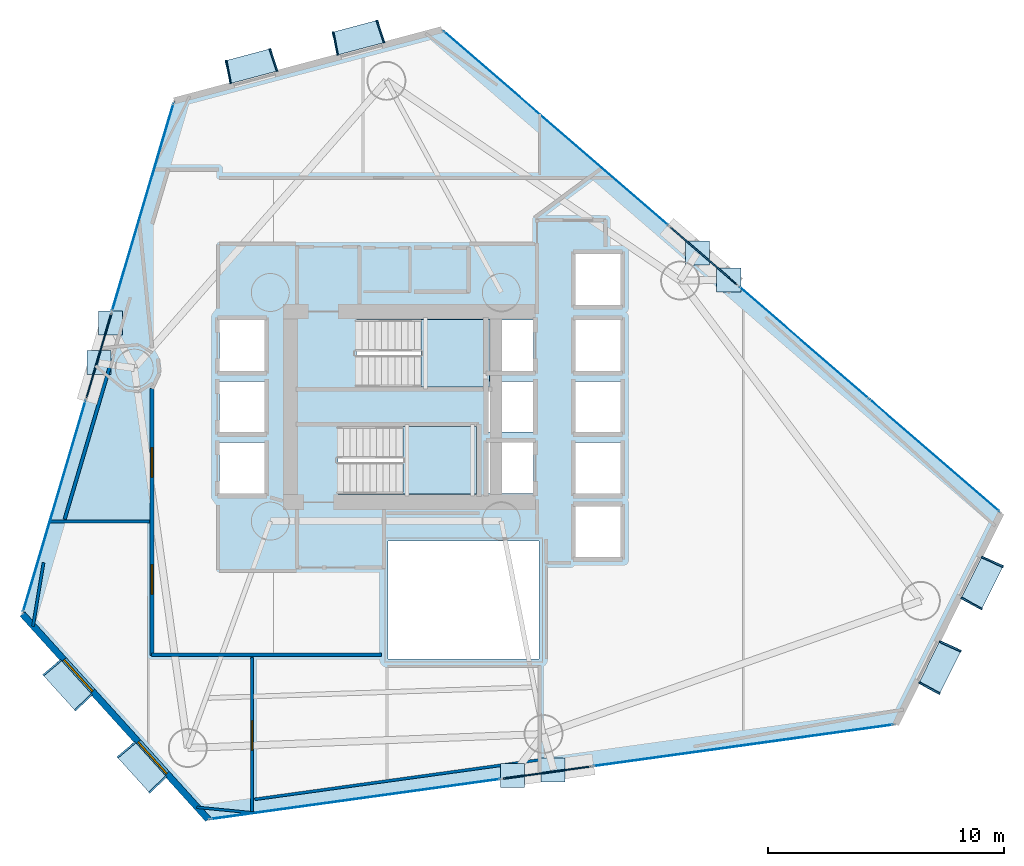
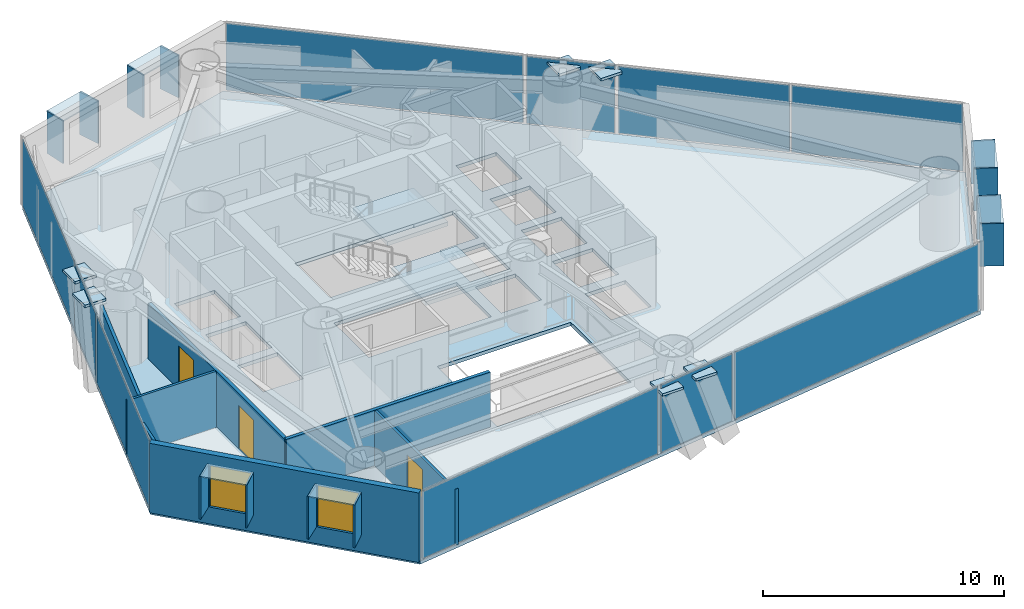
# One storey, part 16 of 23: 34 plates, 9 walls, 3 doors, 3 slabs, 2 windows, 5 openings, 11 elements without a shape of their own.
"""IFC4 building model written with IfcOpenShell, lengths in metres."""

from ifc_helpers import new_model, si_unit, direction, frame, frame_2d, origin, origin_2d, place, context, subcontext, project, spatial, polyline, rectangle, outline, extrude, material, layer, layer_set, type_object, element, fill, aggregate, save


model = new_model("IFC4")

# Units and contexts
model_context = context("Model", 3, precision=1e-05, world=origin(), true_north=direction((0.0, 1.0)))
body_context = subcontext(model_context, "Body", "Model", "MODEL_VIEW")
ifc_project = project(units=[si_unit("LENGTHUNIT", "METRE"), si_unit("AREAUNIT", "SQUARE_METRE"), si_unit("VOLUMEUNIT", "CUBIC_METRE"), si_unit("PLANEANGLEUNIT", "RADIAN"), si_unit("MASSUNIT", "GRAM", prefix="KILO")], contexts=[model_context])

# Site, building, storey
site_placement = place(None, origin())
site = spatial("IfcSite", under=ifc_project, at=site_placement, CompositionType="ELEMENT")
building_placement = place(site_placement, origin())
building = spatial("IfcBuilding", under=site, at=building_placement, Name="Qianvela Tower", CompositionType="ELEMENT")
storey_placement = place(building_placement, frame((0.0, 0.0, 74.699951171875)))
storey = spatial("IfcBuildingStorey", under=building, at=storey_placement, Name="L18", CompositionType="ELEMENT", Elevation=74.699951171875)

# Curtain wall, plate
ifc_material_1 = material(Name="Anodised Architectural Aluminium and Insulated Spandrel Panel", Category="aluminium")
ifc_layer_1 = layer(ifc_material_1, 0.179931640625)
ifc_layer_set_1 = layer_set([ifc_layer_1], Name="Anodised Architectural Aluminium and Insulated Spandrel Panel")
curtain_wall_type_1 = type_object("IfcCurtainWallType", Name="CW-BRACEBAY", PredefinedType="USERDEFINED", material=ifc_layer_set_1)
curtain_wall_1_placement = place(storey_placement, origin())
curtain_wall_1 = element("IfcCurtainWall", 1, at=curtain_wall_1_placement, inside=storey, type_object=curtain_wall_type_1, Name="L18 CW-BRACEBAY Curtain Wall 02B", ObjectType="CURTAIN_WALL_SYSTEM", PredefinedType="USERDEFINED")
ifc_material_2 = material(Name="Insulated Aluminium Spandrel Panel with Mineral-Wool Backpan", Category="aluminium")
ifc_layer_2 = layer(ifc_material_2, 0.06005859375)
ifc_layer_set_2 = layer_set([ifc_layer_2], Name="Insulated Aluminium Spandrel Panel with Mineral-Wool Backpan")
plate_type_1 = type_object("IfcPlateType", Name="CW-BRACEBAY-PNL", PredefinedType="CURTAIN_PANEL", material=ifc_layer_set_2)
plate_1_placement = place(storey_placement, frame((46.983154296875, 35.098388671875, 0.06494140625), z_axis=(0.0, 0.0, 1.0), x_axis=(-0.756620196379, 0.653854630962, 0.0)))
plate_1 = element("IfcPlate", 2, at=plate_1_placement, type_object=plate_type_1, Name="CW-9 panel 1.1", PredefinedType="CURTAIN_PANEL", context=body_context, shape_type="SweptSolid", body=[
    extrude(rectangle(XDim=3.739990234375, YDim=0.06005859375, at=origin_2d()), origin(), (0.0, 0.0, 1.0), 3.389892578125),
])
aggregate(curtain_wall_1, [plate_1])

curtain_wall_2_placement = place(storey_placement, origin())
curtain_wall_2 = element("IfcCurtainWall", 3, at=curtain_wall_2_placement, inside=storey, type_object=curtain_wall_type_1, Name="L18 CW-BRACEBAY Curtain Wall 04B", ObjectType="CURTAIN_WALL_SYSTEM", PredefinedType="USERDEFINED")
plate_2_placement = place(storey_placement, frame((21.327392578125, 30.86865234375, 0.06494140625), z_axis=(0.0, 0.0, 1.0), x_axis=(-0.283680784565, -0.958918772612, 0.0)))
plate_2 = element("IfcPlate", 4, at=plate_2_placement, type_object=plate_type_1, Name="CW-9 panel 1.1", PredefinedType="CURTAIN_PANEL", context=body_context, shape_type="SweptSolid", body=[
    extrude(rectangle(XDim=3.72998046875, YDim=0.06005859375, at=origin_2d()), origin(), (0.0, 0.0, 1.0), 3.389892578125),
])
aggregate(curtain_wall_2, [plate_2])

curtain_wall_3_placement = place(storey_placement, origin())
curtain_wall_3 = element("IfcCurtainWall", 5, at=curtain_wall_3_placement, inside=storey, type_object=curtain_wall_type_1, Name="L18 CW-BRACEBAY Curtain Wall 06B", ObjectType="CURTAIN_WALL_SYSTEM", PredefinedType="USERDEFINED")
plate_3_placement = place(storey_placement, frame((40.3330078125, 13.1826171875, 0.06494140625), z_axis=(0.0, 0.0, 1.0), x_axis=(0.990574154922, 0.136977529545, 0.0)))
plate_3 = element("IfcPlate", 6, at=plate_3_placement, type_object=plate_type_1, Name="CW-9 panel 1.1", PredefinedType="CURTAIN_PANEL", context=body_context, shape_type="SweptSolid", body=[
    extrude(rectangle(XDim=3.739990234375, YDim=0.06005859375, at=origin_2d()), origin(), (0.0, 0.0, 1.0), 3.389892578125),
])
aggregate(curtain_wall_3, [plate_3])

# Curtain wall, plates
ifc_material_3 = material(Name="Anodised Architectural Aluminium and Low-E Glass", Category="aluminium")
ifc_layer_3 = layer(ifc_material_3, 0.179931640625)
ifc_layer_set_3 = layer_set([ifc_layer_3], Name="Anodised Architectural Aluminium and Low-E Glass")
curtain_wall_type_2 = type_object("IfcCurtainWallType", Name="CW-COLIV-Z12", PredefinedType="USERDEFINED", material=ifc_layer_set_3)
curtain_wall_4_placement = place(storey_placement, origin())
curtain_wall_4 = element("IfcCurtainWall", 7, at=curtain_wall_4_placement, inside=storey, type_object=curtain_wall_type_2, Name="L18 CW-COLIV-Z12 Curtain Wall 02A", ObjectType="CURTAIN_WALL_SYSTEM", PredefinedType="USERDEFINED")
ifc_material_4 = material(Name="Double-Silver Low-E Insulated Glass", Category="glass")
ifc_layer_4 = layer(ifc_material_4, 0.030029296875)
ifc_layer_set_4 = layer_set([ifc_layer_4], Name="Double-Silver Low-E Insulated Glass")
plate_type_2 = type_object("IfcPlateType", Name="CW-COLIV-Z12-PNL", PredefinedType="CURTAIN_PANEL", material=ifc_layer_set_4)
plate_4_placement = place(storey_placement, frame((56.77001953125, 26.640869140625, 0.06494140625), z_axis=(0.0, 0.0, 1.0), x_axis=(-0.756622457669, 0.65385201426, 0.0)))
plate_4 = element("IfcPlate", 8, at=plate_4_placement, type_object=plate_type_2, Name="CW-3 panel 1.1", PredefinedType="CURTAIN_PANEL", context=body_context, shape_type="SweptSolid", body=[
    extrude(rectangle(XDim=7.239990234375, YDim=0.030029296875, at=origin_2d()), origin(), (0.0, 0.0, 1.0), 3.389892578125),
])
plate_5_placement = place(storey_placement, frame((51.239013671875, 31.420654296875, 0.06494140625), z_axis=(0.0, 0.0, 1.0), x_axis=(-0.756622457669, 0.65385201426, 0.0)))
plate_5 = element("IfcPlate", 9, at=plate_5_placement, type_object=plate_type_2, Name="CW-3 panel 2.1", PredefinedType="CURTAIN_PANEL", context=body_context, shape_type="SweptSolid", body=[
    extrude(rectangle(XDim=7.239990234375, YDim=0.030029296875, at=origin_2d()), origin(), (0.0, 0.0, 1.0), 3.389892578125),
])
aggregate(curtain_wall_4, [plate_4, plate_5])

# Curtain wall, plate
curtain_wall_5_placement = place(storey_placement, origin())
curtain_wall_5 = element("IfcCurtainWall", 10, at=curtain_wall_5_placement, inside=storey, type_object=curtain_wall_type_2, Name="L18 CW-COLIV-Z12 Curtain Wall 02C", ObjectType="CURTAIN_WALL_SYSTEM", PredefinedType="USERDEFINED")
plate_6_placement = place(storey_placement, frame((40.71630859375, 40.51416015625, 0.06494140625), z_axis=(0.0, 0.0, 1.0), x_axis=(-0.75661875786, 0.653856295569, 0.0)))
plate_6 = element("IfcPlate", 11, at=plate_6_placement, type_object=plate_type_2, Name="CW-3 panel 1.1", PredefinedType="CURTAIN_PANEL", context=body_context, shape_type="SweptSolid", body=[
    extrude(rectangle(XDim=12.55517578125, YDim=0.030029296875, at=origin_2d()), origin(), (0.0, 0.0, 1.0), 3.389892578125),
])
aggregate(curtain_wall_5, [plate_6])

curtain_wall_6_placement = place(storey_placement, origin())
curtain_wall_6 = element("IfcCurtainWall", 12, at=curtain_wall_6_placement, inside=storey, type_object=curtain_wall_type_2, Name="L18 CW-COLIV-Z12 Curtain Wall 04A", ObjectType="CURTAIN_WALL_SYSTEM", PredefinedType="USERDEFINED")
plate_7_placement = place(storey_placement, frame((23.192626953125, 37.173583984375, 0.06494140625), z_axis=(0.0, 0.0, 1.0), x_axis=(-0.283680024051, -0.958918997598, 0.0)))
plate_7 = element("IfcPlate", 13, at=plate_7_placement, type_object=plate_type_2, Name="CW-3 panel 1.1", PredefinedType="CURTAIN_PANEL", context=body_context, shape_type="SweptSolid", body=[
    extrude(rectangle(XDim=9.150146484375, YDim=0.030029296875, at=origin_2d()), origin(), (0.0, 0.0, 1.0), 3.389892578125),
])
aggregate(curtain_wall_6, [plate_7])

curtain_wall_7_placement = place(storey_placement, origin())
curtain_wall_7 = element("IfcCurtainWall", 14, at=curtain_wall_7_placement, inside=storey, type_object=curtain_wall_type_2, Name="L18 CW-COLIV-Z12 Curtain Wall 04C", ObjectType="CURTAIN_WALL_SYSTEM", PredefinedType="USERDEFINED")
plate_8_placement = place(storey_placement, frame((19.439208984375, 24.486328125, 0.06494140625), z_axis=(0.0, 0.0, 1.0), x_axis=(-0.283671879157, -0.95892140709, 0.0)))
plate_8 = element("IfcPlate", 15, at=plate_8_placement, type_object=plate_type_2, Name="CW-3 panel 1.1", PredefinedType="CURTAIN_PANEL", context=body_context, shape_type="SweptSolid", body=[
    extrude(rectangle(XDim=9.311767578125, YDim=0.030029296875, at=origin_2d()), origin(), (0.0, 0.0, 1.0), 3.389892578125),
])
aggregate(curtain_wall_7, [plate_8])

curtain_wall_8_placement = place(storey_placement, origin())
curtain_wall_8 = element("IfcCurtainWall", 16, at=curtain_wall_8_placement, inside=storey, type_object=curtain_wall_type_2, Name="L18 CW-COLIV-Z12 Curtain Wall 06A", ObjectType="CURTAIN_WALL_SYSTEM", PredefinedType="USERDEFINED")
plate_9_placement = place(storey_placement, frame((32.21533203125, 12.06005859375, 0.06494140625), z_axis=(0.0, 0.0, 1.0), x_axis=(0.990573724355, 0.136980643219, 0.0)))
plate_9 = element("IfcPlate", 17, at=plate_9_placement, type_object=plate_type_2, Name="CW-3 panel 1.1", PredefinedType="CURTAIN_PANEL", context=body_context, shape_type="SweptSolid", body=[
    extrude(rectangle(XDim=12.380126953125, YDim=0.030029296875, at=origin_2d()), origin(), (0.0, 0.0, 1.0), 3.389892578125),
])
aggregate(curtain_wall_8, [plate_9])

curtain_wall_9_placement = place(storey_placement, origin())
curtain_wall_9 = element("IfcCurtainWall", 18, at=curtain_wall_9_placement, inside=storey, type_object=curtain_wall_type_2, Name="L18 CW-COLIV-Z12 Curtain Wall 06C", ObjectType="CURTAIN_WALL_SYSTEM", PredefinedType="USERDEFINED")
plate_10_placement = place(storey_placement, frame((48.664306640625, 14.334716796875, 0.06494140625), z_axis=(0.0, 0.0, 1.0), x_axis=(0.99057317253, 0.136984633674, 0.0)))
plate_10 = element("IfcPlate", 19, at=plate_10_placement, type_object=plate_type_2, Name="CW-3 panel 1.1", PredefinedType="CURTAIN_PANEL", context=body_context, shape_type="SweptSolid", body=[
    extrude(rectangle(XDim=12.81103515625, YDim=0.030029296875, at=origin_2d()), origin(), (0.0, 0.0, 1.0), 3.389892578125),
])
aggregate(curtain_wall_9, [plate_10])

# Plates
ifc_material_5 = material(Name="Steel Q420GJC", Category="steel")
ifc_layer_5 = layer(ifc_material_5, 0.1298828125)
ifc_layer_set_5 = layer_set([ifc_layer_5], Name="Steel Q420GJC")
plate_type_3 = type_object("IfcPlateType", Name="PT-ENDCAP-130", PredefinedType="USERDEFINED", material=ifc_layer_set_5)
for number, where, z_axis, x_axis, name in (
    (20, (48.048583984375, 34.072021484375, 3.159912109375), (0.0, 0.0, 1.0), (1.0, 0.0, 0.0), "L18 Hollow Section End Cap Plate B"),
    (21, (46.722412109375, 35.218017578125, 3.159912109375), (0.0, 0.0, 1.0), (1.0, 0.0, 0.0), "L18 Hollow Section End Cap Plate B"),
    (22, (21.821533203125, 32.2568359375, 3.159912109375), (0.0, 0.0, 1.0), (1.0, 0.0, 0.0), "L18 Hollow Section End Cap Plate B"),
    (23, (21.324462890625, 30.576416015625, 3.159912109375), (0.0, 0.0, 1.0), (1.0, 0.0, 0.0), "L18 Hollow Section End Cap Plate B"),
    (24, (38.864990234375, 13.060302734375, 3.159912109375), (0.0, 0.0, 1.0), (1.0, 0.0, 0.0), "L18 Hollow Section End Cap Plate B"),
    (25, (40.601318359375, 13.30029296875, 3.159912109375), (0.0, 0.0, 1.0), (1.0, 0.0, 0.0), "L18 Hollow Section End Cap Plate B"),
):
    element("IfcPlate", number, at=place(storey_placement, frame(where, z_axis=z_axis, x_axis=x_axis)), inside=storey, type_object=plate_type_3, Name=name, ObjectType="END_CAP", PredefinedType="USERDEFINED", context=body_context, shape_type="SweptSolid", body=[
        extrude(rectangle(XDim=1.02001953125, YDim=1.02001953125, at=origin_2d()), origin(), (0.0, 0.0, 1.0), 0.1298828125),
    ])

# Slab
ifc_material_6 = material(Name="Concrete C40", Category="concrete")
ifc_layer_6 = layer(ifc_material_6, 0.179931640625)
ifc_layer_set_6 = layer_set([ifc_layer_6], Name="Concrete C40")
slab_type_1 = type_object("IfcSlabType", Name="SL-FLOOR-180", PredefinedType="FLOOR", material=ifc_layer_set_6)
slab_1_placement = place(storey_placement, frame((0.0, 0.0, -0.179931640625)))
element("IfcSlab", 26, at=slab_1_placement, inside=storey, type_object=slab_type_1, Name="L18 Composite Structural Floor Slab", PredefinedType="FLOOR", context=body_context, shape_type="SweptSolid", body=[
    extrude(outline(polyline([(55.12841796875, 15.228515625), (59.599609375, 24.195556640625), (35.875732421875, 44.697265625), (24.5244140625, 41.67578125), (18.08447265625, 19.906494140625), (25.96484375, 11.19580078125), (55.12841796875, 15.228515625)]), holes=[polyline([(40.0, 23.0), (33.60009765625, 23.0), (33.60009765625, 18.0), (40.0, 18.0), (40.0, 23.0)]), polyline([(28.360107421875, 25.02001953125), (28.360107421875, 27.179931640625), (26.43994140625, 27.179931640625), (26.43994140625, 25.02001953125), (28.360107421875, 25.02001953125)]), polyline([(37.35009765625, 25.0), (37.35009765625, 27.860107421875), (31.469970703125, 27.860107421875), (31.469970703125, 25.0), (37.35009765625, 25.0)]), polyline([(28.360107421875, 27.6201171875), (28.360107421875, 29.780029296875), (26.43994140625, 29.780029296875), (26.43994140625, 27.6201171875), (28.360107421875, 27.6201171875)]), polyline([(37.89990234375, 32.3798828125), (37.89990234375, 32.39990234375), (32.25, 32.39990234375), (32.25, 29.5400390625), (37.840087890625, 29.5400390625), (37.840087890625, 27.6201171875), (39.760009765625, 27.6201171875), (39.760009765625, 29.780029296875), (37.89990234375, 29.780029296875), (37.89990234375, 30.219970703125), (39.760009765625, 30.219970703125), (39.760009765625, 32.3798828125), (37.89990234375, 32.3798828125)]), polyline([(28.360107421875, 30.219970703125), (28.360107421875, 32.3798828125), (26.43994140625, 32.3798828125), (26.43994140625, 30.219970703125), (28.360107421875, 30.219970703125)]), polyline([(43.4599609375, 24.47998046875), (41.5400390625, 24.47998046875), (41.5400390625, 22.320068359375), (43.4599609375, 22.320068359375), (43.4599609375, 24.47998046875)]), polyline([(39.760009765625, 25.02001953125), (39.760009765625, 27.179931640625), (37.840087890625, 27.179931640625), (37.840087890625, 25.02001953125), (39.760009765625, 25.02001953125)]), polyline([(43.4599609375, 25.02001953125), (43.4599609375, 27.179931640625), (41.5400390625, 27.179931640625), (41.5400390625, 25.02001953125), (43.4599609375, 25.02001953125)]), polyline([(43.4599609375, 27.6201171875), (43.4599609375, 29.780029296875), (41.5400390625, 29.780029296875), (41.5400390625, 27.6201171875), (43.4599609375, 27.6201171875)]), polyline([(43.4599609375, 30.219970703125), (43.4599609375, 32.3798828125), (41.5400390625, 32.3798828125), (41.5400390625, 30.219970703125), (43.4599609375, 30.219970703125)]), polyline([(43.4599609375, 33.02001953125), (43.4599609375, 35.179931640625), (41.5400390625, 35.179931640625), (41.5400390625, 33.02001953125), (43.4599609375, 33.02001953125)])]), origin(), (0.0, 0.0, 1.0), 0.179931640625),
])

# Stair, slab
ifc_material_7 = material(Name="Concrete C40", Category="concrete")
stair_type = type_object("IfcStairType", Name="ST-DOGLEG-1350-R168-N22", PredefinedType="HALF_TURN_STAIR", material=ifc_material_7)
stair_1_placement = place(storey_placement, origin())
stair_1 = element("IfcStair", 27, at=stair_1_placement, inside=storey, type_object=stair_type, Name="L18 Smoke-Proof Core Stair ST-1", PredefinedType="HALF_TURN_STAIR")
ifc_material_8 = material(Name="Concrete C40", Category="concrete")
ifc_layer_7 = layer(ifc_material_8, 0.199951171875)
ifc_layer_set_7 = layer_set([ifc_layer_7], Name="Concrete C40")
slab_type_2 = type_object("IfcSlabType", Name="SL-STAIR-LANDING-200", PredefinedType="LANDING", material=ifc_layer_set_7)
slab_2_placement = place(storey_placement, frame((0.0, 0.0, 1.650146484375)))
slab_2 = element("IfcSlab", 28, at=slab_2_placement, type_object=slab_type_2, Name="ST-1 landing 1", PredefinedType="LANDING", context=body_context, shape_type="SweptSolid", body=[
    extrude(outline(polyline([(35.0, 29.5400390625), (37.89990234375, 29.5400390625), (37.89990234375, 32.39990234375), (35.0, 32.39990234375), (35.0, 29.5400390625)])), origin(), (0.0, 0.0, 1.0), 0.199951171875),
])
aggregate(stair_1, [slab_2])

stair_2_placement = place(storey_placement, origin())
stair_2 = element("IfcStair", 29, at=stair_2_placement, inside=storey, type_object=stair_type, Name="L18 Smoke-Proof Core Stair ST-2", PredefinedType="HALF_TURN_STAIR")
slab_3_placement = place(storey_placement, frame((0.0, 0.0, 1.650146484375)))
slab_3 = element("IfcSlab", 30, at=slab_3_placement, type_object=slab_type_2, Name="ST-2 landing 1", PredefinedType="LANDING", context=body_context, shape_type="SweptSolid", body=[
    extrude(outline(polyline([(34.219970703125, 25.0), (37.35009765625, 25.0), (37.35009765625, 27.860107421875), (34.219970703125, 27.860107421875), (34.219970703125, 25.0)])), origin(), (0.0, 0.0, 1.0), 0.199951171875),
])
aggregate(stair_2, [slab_3])

# Plates
ifc_material_9 = material(Name="Vitrified Architectural Terracotta Panel", Category="masonry")
ifc_layer_8 = layer(ifc_material_9, 0.06005859375)
ifc_layer_set_8 = layer_set([ifc_layer_8], Name="Vitrified Architectural Terracotta Panel")
plate_type_4 = type_object("IfcPlateType", Name="TERRACOTTA-SUNSHADE-HOOD-FOLD-A", PredefinedType="USERDEFINED", material=ifc_layer_set_8)
for number, where, z_axis, x_axis, name in (
    (31, (32.3173828125, 44.36572265625, 2.9599609375), (0.0, 0.0, 1.0), (-0.966349147139, -0.257233990411, 0.0), "L18 Terracotta Sunshade Hood FOLD-A"),
    (32, (27.77685546875, 43.1572265625, 2.9599609375), (0.0, 0.0, 1.0), (-0.966349147139, -0.257233990411, 0.0), "L18 Terracotta Sunshade Hood FOLD-A"),
):
    element("IfcPlate", number, at=place(storey_placement, frame(where, z_axis=z_axis, x_axis=x_axis)), inside=storey, type_object=plate_type_4, Name=name, ObjectType="SUNSHADE", PredefinedType="USERDEFINED", context=body_context, shape_type="SweptSolid", body=[
        extrude(rectangle(XDim=2.0400390625, YDim=0.989990234375, at=origin_2d()), origin(), (0.0, 0.0, 1.0), 0.06005859375),
    ])
ifc_material_10 = material(Name="Vitrified Architectural Terracotta Panel", Category="masonry")
ifc_layer_9 = layer(ifc_material_10, 0.070068359375)
ifc_layer_set_9 = layer_set([ifc_layer_9], Name="Vitrified Architectural Terracotta Panel")
plate_type_5 = type_object("IfcPlateType", Name="TERRACOTTA-SUNSHADE-HOOD-FOLD-C", PredefinedType="USERDEFINED", material=ifc_layer_set_9)
for number, where, z_axis, x_axis, name in (
    (33, (57.002197265625, 17.653076171875, 2.9599609375), (0.0, 0.0, 1.0), (0.446247794978, 0.894909439819, 0.0), "L18 Terracotta Sunshade Hood FOLD-C"),
    (34, (58.790771484375, 21.239990234375, 2.9599609375), (0.0, 0.0, 1.0), (0.446247794978, 0.894909439819, 0.0), "L18 Terracotta Sunshade Hood FOLD-C"),
    (35, (20.00732421875, 16.894287109375, 2.9599609375), (0.0, 0.0, 1.0), (0.670866798219, -0.741577871196, 0.0), "L18 Terracotta Sunshade Hood FOLD-C"),
    (36, (23.159423828125, 13.409912109375, 2.9599609375), (0.0, 0.0, 1.0), (0.670866798219, -0.741577871196, 0.0), "L18 Terracotta Sunshade Hood FOLD-C"),
):
    element("IfcPlate", number, at=place(storey_placement, frame(where, z_axis=z_axis, x_axis=x_axis)), inside=storey, type_object=plate_type_5, Name=name, ObjectType="SUNSHADE", PredefinedType="USERDEFINED", context=body_context, shape_type="SweptSolid", body=[
        extrude(rectangle(XDim=2.0400390625, YDim=0.989990234375, at=origin_2d()), origin(), (0.0, 0.0, 1.0), 0.06005859375),
    ])
ifc_material_11 = material(Name="Vitrified Architectural Terracotta Side Fin Panel", Category="masonry")
ifc_layer_10 = layer(ifc_material_11, 0.06494140625)
ifc_layer_set_10 = layer_set([ifc_layer_10], Name="Vitrified Architectural Terracotta Side Fin Panel")
plate_type_6 = type_object("IfcPlateType", Name="TERRACOTTA-SUNSHADE-STRUT-FOLD-A", PredefinedType="USERDEFINED", material=ifc_layer_set_10)
for number, where, z_axis, x_axis, name in (
    (37, (33.27392578125, 44.62060546875, 0.85009765625), (0.0, 0.0, 1.0), (-0.946051433087, -0.324016490249, 0.0), "L18 Terracotta Sunshade Side Fin HL FOLD-A"),
    (38, (31.360595703125, 44.111083984375, 0.85009765625), (0.0, 0.0, 1.0), (-0.981938905284, -0.189198272429, 0.0), "L18 Terracotta Sunshade Side Fin HR FOLD-A"),
    (39, (28.7333984375, 43.411865234375, 0.85009765625), (0.0, 0.0, 1.0), (-0.946051433087, -0.324016490249, 0.0), "L18 Terracotta Sunshade Side Fin HL FOLD-A"),
    (40, (26.820068359375, 42.902587890625, 0.85009765625), (0.0, 0.0, 1.0), (-0.981938905284, -0.189198272429, 0.0), "L18 Terracotta Sunshade Side Fin HR FOLD-A"),
):
    element("IfcPlate", number, at=place(storey_placement, frame(where, z_axis=z_axis, x_axis=x_axis)), inside=storey, type_object=plate_type_6, Name=name, ObjectType="SUNSHADE", PredefinedType="USERDEFINED", context=body_context, shape_type="SweptSolid", body=[
        extrude(rectangle(XDim=0.06494140625, YDim=1.010009765625, at=origin_2d()), origin(), (0.0, 0.0, 1.0), 2.159912109375),
    ])
ifc_material_12 = material(Name="Vitrified Architectural Terracotta Side Fin Panel", Category="masonry")
ifc_layer_11 = layer(ifc_material_12, 0.074951171875)
ifc_layer_set_11 = layer_set([ifc_layer_11], Name="Vitrified Architectural Terracotta Side Fin Panel")
plate_type_7 = type_object("IfcPlateType", Name="TERRACOTTA-SUNSHADE-STRUT-FOLD-C", PredefinedType="USERDEFINED", material=ifc_layer_set_11)
for number, where, z_axis, x_axis, name in (
    (41, (56.560302734375, 16.76708984375, 0.85009765625), (0.0, 0.0, 1.0), (0.477207841922, 0.878790461719, 0.0), "L18 Terracotta Sunshade Side Fin HL FOLD-C"),
    (42, (57.444091796875, 18.5390625, 0.85009765625), (0.0, 0.0, 1.0), (0.414744063834, 0.909938108617, 0.0), "L18 Terracotta Sunshade Side Fin HR FOLD-C"),
    (43, (58.34912109375, 20.35400390625, 0.85009765625), (0.0, 0.0, 1.0), (0.477207841922, 0.878790461719, 0.0), "L18 Terracotta Sunshade Side Fin HL FOLD-C"),
    (44, (59.232421875, 22.125732421875, 0.85009765625), (0.0, 0.0, 1.0), (0.414744063834, 0.909938108617, 0.0), "L18 Terracotta Sunshade Side Fin HR FOLD-C"),
    (45, (19.34326171875, 17.62841796875, 0.85009765625), (0.0, 0.0, 1.0), (0.644577429821, -0.764539035606, 0.0), "L18 Terracotta Sunshade Side Fin HL FOLD-C"),
    (46, (20.67138671875, 16.159912109375, 0.85009765625), (0.0, 0.0, 1.0), (0.696338818762, -0.717713208381, 0.0), "L18 Terracotta Sunshade Side Fin HR FOLD-C"),
    (47, (22.495361328125, 14.14404296875, 0.85009765625), (0.0, 0.0, 1.0), (0.644577429821, -0.764539035606, 0.0), "L18 Terracotta Sunshade Side Fin HL FOLD-C"),
    (48, (23.823486328125, 12.675537109375, 0.85009765625), (0.0, 0.0, 1.0), (0.696338818762, -0.717713208381, 0.0), "L18 Terracotta Sunshade Side Fin HR FOLD-C"),
):
    element("IfcPlate", number, at=place(storey_placement, frame(where, z_axis=z_axis, x_axis=x_axis)), inside=storey, type_object=plate_type_7, Name=name, ObjectType="SUNSHADE", PredefinedType="USERDEFINED", context=body_context, shape_type="SweptSolid", body=[
        extrude(rectangle(XDim=0.074951171875, YDim=1.010009765625, at=origin_2d()), origin(), (0.0, 0.0, 1.0), 2.159912109375),
    ])

# Wall, openings, windows
ifc_material_13 = material(Name="Terracotta Cladding on Concrete C40", Category="masonry")
ifc_layer_12 = layer(ifc_material_13, 0.280029296875)
ifc_layer_set_12 = layer_set([ifc_layer_12], Name="Terracotta Cladding on Concrete C40")
wall_type_1 = type_object("IfcWallType", Name="TERRACOTTA-WALL-280", PredefinedType="SOLIDWALL", material=ifc_layer_set_12)
wall_1_placement = place(storey_placement, frame((18.08447265625, 19.906494140625, 0.0), z_axis=(0.0, 0.0, 1.0), x_axis=(0.670879036758, -0.741566799445, 0.0)))
wall_1 = element("IfcWall", 49, at=wall_1_placement, inside=storey, type_object=wall_type_1, Name="L18 Terracotta Chamfer Facet Wall 5", PredefinedType="SOLIDWALL", context=body_context, shape_type="SweptSolid", body=[
    extrude(rectangle(XDim=11.746337890625, YDim=0.280029296875, at=frame_2d((5.873046875, 0.0))), origin(), (0.0, 0.0, 1.0), 3.52001953125),
])
opening_1_placement = place(wall_1_placement, frame((2.623779296875, 0.0, 0.85009765625)))
opening_1 = element("IfcOpeningElement", 50, at=opening_1_placement, cuts=wall_1, Name="Opening W-01", PredefinedType="OPENING", context=body_context, shape_type="SweptSolid", body=[
    extrude(rectangle(XDim=1.800048828125, YDim=2.10009765625, at=frame_2d((0.89990234375, 1.050048828125))), frame((0.0, 0.14990234375, 0.0), z_axis=(0.0, -1.0, 0.0), x_axis=(1.0, 0.0, 0.0)), (0.0, 0.0, 1.0), 0.300048828125),
])
opening_2_placement = place(wall_1_placement, frame((7.322509765625, 0.0, 0.85009765625)))
opening_2 = element("IfcOpeningElement", 51, at=opening_2_placement, cuts=wall_1, Name="Opening W-01", PredefinedType="OPENING", context=body_context, shape_type="SweptSolid", body=[
    extrude(rectangle(XDim=1.800048828125, YDim=2.10009765625, at=frame_2d((0.89990234375, 1.050048828125))), frame((0.0, 0.14990234375, 0.0), z_axis=(0.0, -1.0, 0.0), x_axis=(1.0, 0.0, 0.0)), (0.0, 0.0, 1.0), 0.300048828125),
])
ifc_material_14 = material(Name="Thermally Broken Aluminium and Low-E Glass", Category="aluminium")
window_type = type_object("IfcWindowType", Name="WIN-TC-1800x2100", PartitioningType="DOUBLE_PANEL_VERTICAL", PredefinedType="WINDOW", material=ifc_material_14)
window_1_placement = place(opening_1_placement, origin())
window_1 = element("IfcWindow", 52, at=window_1_placement, inside=storey, type_object=window_type, Name="L18 Chamfer Facet Window 5.1", OverallHeight=2.10009765625, OverallWidth=1.800048828125, PartitioningType="SINGLE_PANEL", PredefinedType="WINDOW", context=body_context, shape_type="SweptSolid", body=[
    extrude(rectangle(XDim=1.800048828125, YDim=2.10009765625, at=frame_2d((0.89990234375, 1.050048828125))), frame((0.0, 0.030029296875, 0.0), z_axis=(0.0, -1.0, 0.0), x_axis=(1.0, 0.0, 0.0)), (0.0, 0.0, 1.0), 0.06005859375),
])
fill(opening_1, window_1)
window_2_placement = place(opening_2_placement, origin())
window_2 = element("IfcWindow", 53, at=window_2_placement, inside=storey, type_object=window_type, Name="L18 Chamfer Facet Window 5.2", OverallHeight=2.10009765625, OverallWidth=1.800048828125, PartitioningType="SINGLE_PANEL", PredefinedType="WINDOW", context=body_context, shape_type="SweptSolid", body=[
    extrude(rectangle(XDim=1.800048828125, YDim=2.10009765625, at=frame_2d((0.89990234375, 1.050048828125))), frame((0.0, 0.030029296875, 0.0), z_axis=(0.0, -1.0, 0.0), x_axis=(1.0, 0.0, 0.0)), (0.0, 0.0, 1.0), 0.06005859375),
])
fill(opening_2, window_2)

# Wall
ifc_material_15 = material(Name="Fire-Rated Gypsum and Concrete Block", Category="concrete")
ifc_layer_13 = layer(ifc_material_15, 0.159912109375)
ifc_layer_set_13 = layer_set([ifc_layer_13], Name="Fire-Rated Gypsum and Concrete Block")
wall_type_2 = type_object("IfcWallType", Name="WT-CORR-160", PredefinedType="PARTITIONING", material=ifc_layer_set_13)
wall_2_placement = place(storey_placement, frame((33.320068359375, 18.180908203125, 0.0), z_axis=(0.0, 0.0, 1.0), x_axis=(-1.0, 0.0, 0.0)))
element("IfcWall", 54, at=wall_2_placement, inside=storey, type_object=wall_type_2, Name="L18 Partition 50", PredefinedType="PARTITIONING", context=body_context, shape_type="SweptSolid", body=[
    extrude(rectangle(XDim=9.77001953125, YDim=0.159912109375, at=frame_2d((4.885009765625, 0.0))), origin(), (0.0, 0.0, 1.0), 2.798095703125),
])

# Wall, openings, doors
wall_3_placement = place(storey_placement, frame((23.5810546875, 18.14990234375, 0.0), z_axis=(0.0, 0.0, 1.0), x_axis=(0.0, 1.0, 0.0)))
wall_3 = element("IfcWall", 55, at=wall_3_placement, inside=storey, type_object=wall_type_2, Name="L18 Partition 51", PredefinedType="PARTITIONING", context=body_context, shape_type="SweptSolid", body=[
    extrude(rectangle(XDim=11.3330078125, YDim=0.159912109375, at=frame_2d((5.66650390625, 0.0))), origin(), (0.0, 0.0, 1.0), 2.798095703125),
])
opening_3_placement = place(wall_3_placement, frame((2.599365234375, 0.0, 0.0)))
opening_3 = element("IfcOpeningElement", 56, at=opening_3_placement, cuts=wall_3, Name="Opening D-LG1", PredefinedType="OPENING", context=body_context, shape_type="SweptSolid", body=[
    extrude(rectangle(XDim=1.25, YDim=2.199951171875, at=frame_2d((0.625, 1.10009765625))), frame((0.0, 0.08984375, 0.0), z_axis=(0.0, -1.0, 0.0), x_axis=(1.0, 0.0, 0.0)), (0.0, 0.0, 1.0), 0.179931640625),
])
opening_4_placement = place(wall_3_placement, frame((7.56689453125, 0.0, 0.0)))
opening_4 = element("IfcOpeningElement", 57, at=opening_4_placement, cuts=wall_3, Name="Opening D-LG1", PredefinedType="OPENING", context=body_context, shape_type="SweptSolid", body=[
    extrude(rectangle(XDim=1.25, YDim=2.199951171875, at=frame_2d((0.625, 1.10009765625))), frame((0.0, 0.08984375, 0.0), z_axis=(0.0, -1.0, 0.0), x_axis=(1.0, 0.0, 0.0)), (0.0, 0.0, 1.0), 0.179931640625),
])
ifc_material_16 = material(Name="Anodised Aluminium Acoustic Glass Door", Category="aluminium")
door_type = type_object("IfcDoorType", Name="DT-LOUNGE-1250", OperationType="NOTDEFINED", PredefinedType="DOOR", material=ifc_material_16)
door_1_placement = place(opening_3_placement, origin())
door_1 = element("IfcDoor", 58, at=door_1_placement, inside=storey, type_object=door_type, Name="L18 Door Tutorial Breakout Seminar L18-01 to L18 Floor Corridor", OperationType="SINGLE_SWING_RIGHT", OverallHeight=2.199951171875, OverallWidth=1.25, PredefinedType="DOOR", context=body_context, shape_type="SweptSolid", body=[
    extrude(rectangle(XDim=1.25, YDim=2.199951171875, at=frame_2d((0.625, 1.10009765625))), frame((0.0, 0.02490234375, 0.0), z_axis=(0.0, -1.0, 0.0), x_axis=(1.0, 0.0, 0.0)), (0.0, 0.0, 1.0), 0.050048828125),
])
fill(opening_3, door_1)
door_2_placement = place(opening_4_placement, origin())
door_2 = element("IfcDoor", 59, at=door_2_placement, inside=storey, type_object=door_type, Name="L18 Door Commons Day Lounge L18-05 to L18 Floor Corridor", OperationType="SINGLE_SWING_RIGHT", OverallHeight=2.199951171875, OverallWidth=1.25, PredefinedType="DOOR", context=body_context, shape_type="SweptSolid", body=[
    extrude(rectangle(XDim=1.25, YDim=2.199951171875, at=frame_2d((0.625, 1.10009765625))), frame((0.0, 0.02490234375, 0.0), z_axis=(0.0, -1.0, 0.0), x_axis=(1.0, 0.0, 0.0)), (0.0, 0.0, 1.0), 0.050048828125),
])
fill(opening_4, door_2)

# Walls
ifc_material_17 = material(Name="Lightweight Gypsum Room Partition")
ifc_layer_14 = layer(ifc_material_17, 0.10498046875)
ifc_layer_set_14 = layer_set([ifc_layer_14], Name="Lightweight Gypsum Room Partition")
wall_type_3 = type_object("IfcWallType", Name="WT-PART-105", PredefinedType="PARTITIONING", material=ifc_layer_set_14)
wall_4_placement = place(storey_placement, frame((27.9326171875, 11.4677734375, 0.0), z_axis=(0.0, 0.0, 1.0), x_axis=(-0.995180170046, 0.098063393509, 0.0)))
element("IfcWall", 60, at=wall_4_placement, inside=storey, type_object=wall_type_3, Name="L18 Partition 58", PredefinedType="PARTITIONING", context=body_context, shape_type="SweptSolid", body=[
    extrude(rectangle(XDim=2.46728515625, YDim=0.10498046875, at=frame_2d((1.233642578125, 0.0))), origin(), (0.0, 0.0, 1.0), 2.840087890625),
])
ifc_material_18 = material(Name="Insulated Gypsum Stud Partition")
ifc_layer_15 = layer(ifc_material_18, 0.1201171875)
ifc_layer_set_15 = layer_set([ifc_layer_15], Name="Insulated Gypsum Stud Partition")
wall_type_4 = type_object("IfcWallType", Name="WT-PART-120", PredefinedType="PARTITIONING", material=ifc_layer_set_15)
wall_5_placement = place(storey_placement, frame((19.224365234375, 23.826904296875, 0.0), z_axis=(0.0, 0.0, 1.0), x_axis=(1.0, 0.0, 0.0)))
element("IfcWall", 61, at=wall_5_placement, inside=storey, type_object=wall_type_4, Name="L18 Partition 54", PredefinedType="PARTITIONING", context=body_context, shape_type="SweptSolid", body=[
    extrude(rectangle(XDim=4.24560546875, YDim=0.1201171875, at=frame_2d((2.122802734375, 0.0))), origin(), (0.0, 0.0, 1.0), 2.840087890625),
])

# Wall, opening, door
wall_6_placement = place(storey_placement, frame((27.826904296875, 18.070068359375, 0.0), z_axis=(0.0, 0.0, 1.0), x_axis=(0.0, -1.0, 0.0)))
wall_6 = element("IfcWall", 62, at=wall_6_placement, inside=storey, type_object=wall_type_4, Name="L18 Partition 57", PredefinedType="PARTITIONING", context=body_context, shape_type="SweptSolid", body=[
    extrude(rectangle(XDim=6.636962890625, YDim=0.1201171875, at=frame_2d((3.318359375, 0.0))), origin(), (0.0, 0.0, 1.0), 2.798095703125),
])
opening_5_placement = place(wall_6_placement, frame((2.693359375, 0.0, 0.0)))
opening_5 = element("IfcOpeningElement", 63, at=opening_5_placement, cuts=wall_6, Name="Opening D-LG1", PredefinedType="OPENING", context=body_context, shape_type="SweptSolid", body=[
    extrude(rectangle(XDim=1.25, YDim=2.199951171875, at=frame_2d((0.625, 1.10009765625))), frame((0.0, 0.070068359375, 0.0), z_axis=(0.0, -1.0, 0.0), x_axis=(1.0, 0.0, 0.0)), (0.0, 0.0, 1.0), 0.14013671875),
])
door_3_placement = place(opening_5_placement, origin())
door_3 = element("IfcDoor", 64, at=door_3_placement, inside=storey, type_object=door_type, Name="L18 Door Project Huddle Conference L18-02 to Tutorial Breakout Seminar L18-01", OperationType="SINGLE_SWING_RIGHT", OverallHeight=2.199951171875, OverallWidth=1.25, PredefinedType="DOOR", context=body_context, shape_type="SweptSolid", body=[
    extrude(rectangle(XDim=1.25, YDim=2.199951171875, at=frame_2d((0.625, 1.10009765625))), frame((0.0, 0.02490234375, 0.0), z_axis=(0.0, -1.0, 0.0), x_axis=(1.0, 0.0, 0.0)), (0.0, 0.0, 1.0), 0.050048828125),
])
fill(opening_5, door_3)

# Walls
wall_7_placement = place(storey_placement, frame((18.531494140625, 19.386962890625, 0.0), z_axis=(0.0, 0.0, 1.0), x_axis=(0.163689746408, 0.986511868616, 0.0)))
element("IfcWall", 65, at=wall_7_placement, inside=storey, type_object=wall_type_4, Name="L18 Partition 60 seg 1", PredefinedType="PARTITIONING", context=body_context, shape_type="SweptSolid", body=[
    extrude(rectangle(XDim=2.7353515625, YDim=0.1201171875, at=frame_2d((1.36767578125, 0.0))), origin(), (0.0, 0.0, 1.0), 2.840087890625),
])
wall_8_placement = place(storey_placement, frame((40.0537109375, 13.725341796875, 0.0), z_axis=(0.0, 0.0, 1.0), x_axis=(-0.990575423536, -0.136968355055, 0.0)))
element("IfcWall", 66, at=wall_8_placement, inside=storey, type_object=wall_type_4, Name="L18 Partition 63", PredefinedType="PARTITIONING", context=body_context, shape_type="SweptSolid", body=[
    extrude(rectangle(XDim=12.231201171875, YDim=0.1201171875, at=frame_2d((6.11572265625, 0.0))), origin(), (0.0, 0.0, 1.0), 2.798095703125),
])
ifc_material_19 = material(Name="Acoustic Double Gypsum Stud Partition")
ifc_layer_16 = layer(ifc_material_19, 0.139892578125)
ifc_layer_set_16 = layer_set([ifc_layer_16], Name="Acoustic Double Gypsum Stud Partition")
wall_type_5 = type_object("IfcWallType", Name="WT-ROOM-140", PredefinedType="PARTITIONING", material=ifc_layer_set_16)
wall_9_placement = place(storey_placement, frame((19.87646484375, 23.93310546875, 0.0), z_axis=(0.0, 0.0, 1.0), x_axis=(0.283652974155, 0.958926999439, 0.0)))
element("IfcWall", 67, at=wall_9_placement, inside=storey, type_object=wall_type_5, Name="L18 Partition 98 seg 1", PredefinedType="PARTITIONING", context=body_context, shape_type="SweptSolid", body=[
    extrude(rectangle(XDim=6.702392578125, YDim=0.139892578125, at=frame_2d((3.35107421875, 0.0))), origin(), (0.0, 0.0, 1.0), 2.798095703125),
])

save(model, "model.ifc")
